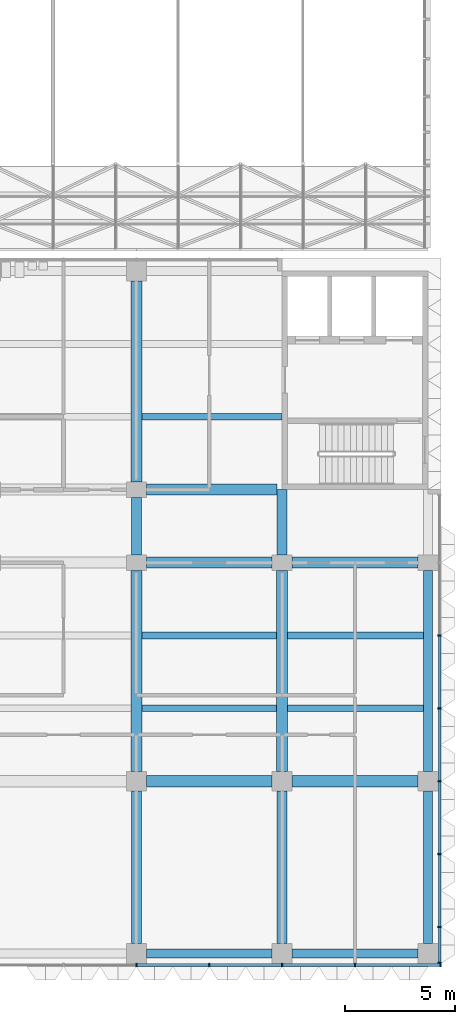
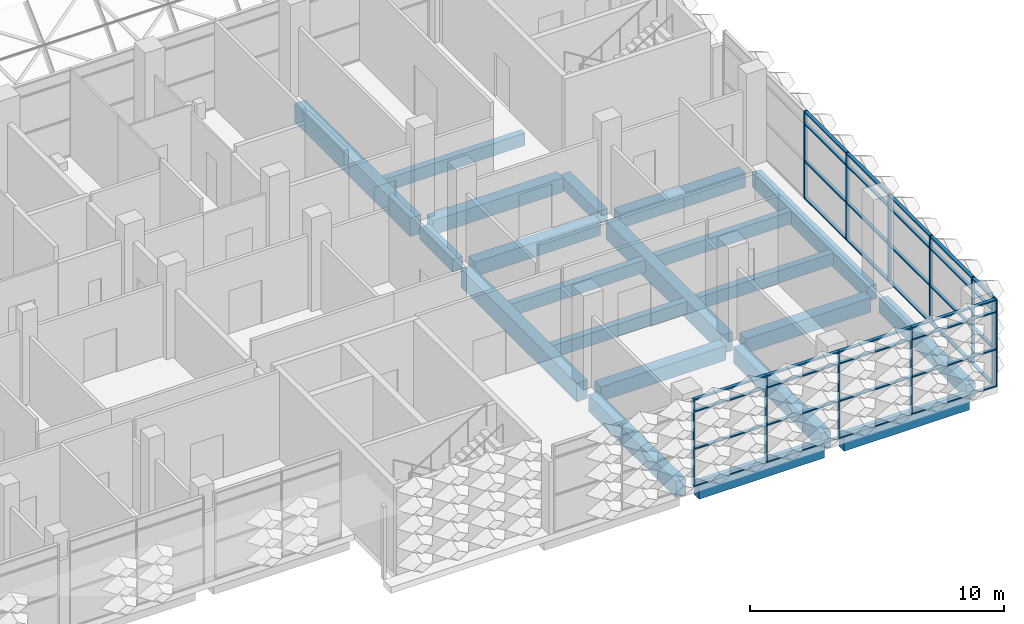
# One storey, part 28 of 109: 47 members, 21 beams, 2 elements without a shape of their own.
"""IFC4 building model written with IfcOpenShell, lengths in metres."""

import ifcopenshell
import ifcopenshell.guid

model = None  # the IFC model being written
_history = None  # IfcOwnerHistory: only IFC2X3 demands one
_inside = {}  # id of a spatial element -> (the spatial element, [elements in it])
_under = {}  # id of a project, library or spatial element -> (it, [spatial elements below it])
_declared = {}  # id of a project -> (the project, [libraries it declares])
_typed = {}  # id of a type object -> (the type object, [elements of that type])
_made_of = {}  # id of a material, layer set ... -> (it, [elements and type objects made of it])


def new_model(schema):
    """Start an empty IFC model of exactly this schema.

    Asked for "IFC4X3", IfcOpenShell would pick the latest addendum, in which some entities
    have other attributes; the version numbers below select the first issue.
    IFC2X3 requires an IfcOwnerHistory on every rooted entity: one is made here for all.
    """
    global model, _history
    if schema == "IFC4X3":
        model = ifcopenshell.file(schema_version=(4, 3, 0, 0))
    else:
        model = ifcopenshell.file(schema=schema)
    _inside.clear()
    _under.clear()
    _declared.clear()
    _typed.clear()
    _made_of.clear()
    _history = None
    if model.schema == "IFC2X3":
        org = make("IfcOrganization", Name="unknown")
        user = make(
            "IfcPersonAndOrganization",
            ThePerson=make("IfcPerson", FamilyName="unknown"),
            TheOrganization=org,
        )
        app = make(
            "IfcApplication",
            ApplicationDeveloper=org,
            Version="unknown",
            ApplicationFullName="unknown",
            ApplicationIdentifier="unknown",
        )
        _history = make(
            "IfcOwnerHistory",
            OwningUser=user,
            OwningApplication=app,
            ChangeAction="ADDED",
            CreationDate=0,
        )
    return model


def make(cls, **values):
    """One entity of the class cls with the attributes given. An attribute that is None is left unset."""
    return model.create_entity(
        cls, **{name: value for name, value in values.items() if value is not None}
    )


def rooted(cls, **values):
    """An entity with a GlobalId (a new one), such as an element, a storey or a relation."""
    return make(cls, GlobalId=ifcopenshell.guid.new(), OwnerHistory=_history, **values)


def si_unit(unit_type, name, prefix=None):
    """IfcSIUnit, for example si_unit("LENGTHUNIT", "METRE", prefix="MILLI")."""
    return make("IfcSIUnit", UnitType=unit_type, Prefix=prefix, Name=name)


def assignment(units):
    """IfcUnitAssignment: the units of a project."""
    return None if units is None else make("IfcUnitAssignment", Units=units)


def point(xyz):
    """IfcCartesianPoint."""
    return None if xyz is None else make("IfcCartesianPoint", Coordinates=xyz)


def direction(xyz):
    """IfcDirection."""
    return None if xyz is None else make("IfcDirection", DirectionRatios=xyz)


def frame(location, z_axis=None, x_axis=None):
    """IfcAxis2Placement3D, a coordinate frame: its origin and axes. An axis left out is left unset."""
    return make(
        "IfcAxis2Placement3D",
        Location=point(location),
        Axis=direction(z_axis),
        RefDirection=direction(x_axis),
    )


def frame_2d(location, x_axis=None):
    """IfcAxis2Placement2D, a coordinate frame in the plane: its origin and x axis."""
    return make(
        "IfcAxis2Placement2D", Location=point(location), RefDirection=direction(x_axis)
    )


def origin():
    """The frame at (0, 0, 0) with its axes left unset."""
    return frame((0.0, 0.0, 0.0))


def origin_2d():
    """The frame at (0, 0) in the plane with its x axis left unset."""
    return frame_2d((0.0, 0.0))


def place(relative_to, where):
    """IfcLocalPlacement: puts the frame where relative to a parent placement (None: the world)."""
    return make(
        "IfcLocalPlacement", PlacementRelTo=relative_to, RelativePlacement=where
    )


def context(
    kind, dimensions, precision=None, world=None, true_north=None, identifier=None
):
    """IfcGeometricRepresentationContext, for example the 3D "Model" context."""
    return make(
        "IfcGeometricRepresentationContext",
        ContextIdentifier=identifier,
        ContextType=kind,
        CoordinateSpaceDimension=dimensions,
        Precision=precision,
        WorldCoordinateSystem=world,
        TrueNorth=true_north,
    )


def subcontext(parent, identifier, kind, view, scale=None):
    """IfcGeometricRepresentationSubContext, for example "Body" below "Model"."""
    return make(
        "IfcGeometricRepresentationSubContext",
        ContextIdentifier=identifier,
        ContextType=kind,
        ParentContext=parent,
        TargetScale=scale,
        TargetView=view,
    )


def project(units=None, contexts=None):
    """IfcProject with its units and contexts."""
    return rooted(
        "IfcProject",
        Name="project",
        RepresentationContexts=contexts,
        UnitsInContext=assignment(units),
    )


def spatial(cls, under=None, at=None, **own):
    """A site, building, storey or space (cls), placed at a placement, below another one or the project."""
    s = rooted(cls, ObjectPlacement=at, **own)
    if under is not None:
        _under.setdefault(under.id(), (under, []))[1].append(s)
    return s


def profile(cls, at=None, kind="AREA", **sizes):
    """A parametric profile (cls). Its sizes go by their IFC names, for example OverallWidth=200.0."""
    return make(cls, ProfileType=kind, Position=at, **sizes)


def rectangle(**sizes):
    """IfcRectangleProfileDef."""
    return profile("IfcRectangleProfileDef", **sizes)


def extrude(swept, where, along, depth):
    """IfcExtrudedAreaSolid: the profile swept, set in the frame where, extruded along a direction by depth."""
    return make(
        "IfcExtrudedAreaSolid",
        SweptArea=swept,
        Position=where,
        ExtrudedDirection=direction(along),
        Depth=depth,
    )


def shape(context_of_items, identifier, shape_type, items):
    """IfcShapeRepresentation: the items that make up one representation, for example the "Body"."""
    return make(
        "IfcShapeRepresentation",
        ContextOfItems=context_of_items,
        RepresentationIdentifier=identifier,
        RepresentationType=shape_type,
        Items=items,
    )


def material(Name=None, Category=None):
    """IfcMaterial."""
    return make("IfcMaterial", Name=Name, Category=Category)


def material_profile(
    of_material, cross_section, Name=None, Category=None, Priority=None
):
    """IfcMaterialProfile: a cross section and its material."""
    return make(
        "IfcMaterialProfile",
        Name=Name,
        Material=of_material,
        Profile=cross_section,
        Priority=Priority,
        Category=Category,
    )


def profile_set(profiles, Name=None, composite=None):
    """IfcMaterialProfileSet."""
    return make(
        "IfcMaterialProfileSet",
        Name=Name,
        MaterialProfiles=profiles,
        CompositeProfile=composite,
    )


def made_of(thing, what):
    """Note that an element or type object is made of a material, layer set ...; save() writes the relation."""
    if what is not None:
        _made_of.setdefault(what.id(), (what, []))[1].append(thing)
    return thing


def type_object(cls, material=None, **own):
    """A type object (cls), such as IfcWallType, which elements share."""
    return made_of(rooted(cls, **own), material)


def element(
    cls,
    number,
    at=None,
    inside=None,
    cuts=None,
    type_object=None,
    material=None,
    context=None,
    identifier="Body",
    shape_type=None,
    held_by="IfcProductDefinitionShape",
    body=None,
    shapes=None,
    **own,
):
    """One element of the class cls, such as IfcWall. Its Tag is "e" and its number.

    at: its placement. inside: the storey or other place that contains it. cuts: it is an
    opening in that element (IfcRelVoidsElement). A single representation is given by context,
    identifier, shape_type and body (its items); several are given by shapes. held_by: the class
    of the entity that holds the representations. save() writes the other relations.
    """
    e = rooted(cls, Tag="e%d" % number, ObjectPlacement=at, **own)
    if body is not None:
        shapes = [shape(context, identifier, shape_type, body)]
    if shapes is not None:
        e.Representation = make(held_by, Representations=shapes)
    if inside is not None:
        _inside.setdefault(inside.id(), (inside, []))[1].append(e)
    if cuts is not None:
        rooted(
            "IfcRelVoidsElement", RelatingBuildingElement=cuts, RelatedOpeningElement=e
        )
    if type_object is not None:
        _typed.setdefault(type_object.id(), (type_object, []))[1].append(e)
    return made_of(e, material)


def aggregate(whole, parts):
    """IfcRelAggregates: a whole, such as a stair, and the parts it consists of."""
    return rooted("IfcRelAggregates", RelatingObject=whole, RelatedObjects=parts)


def save(model, path):
    """Write the relations noted so far, then the file.

    IfcRelAggregates (storeys below a building ...), IfcRelContainedInSpatialStructure (elements
    in a storey), IfcRelDefinesByType, IfcRelAssociatesMaterial and IfcRelDeclares: one each for
    every whole, place, type object, material and project.
    """
    for whole, parts in _under.values():
        aggregate(whole, parts)
    for where, things in _inside.values():
        rooted(
            "IfcRelContainedInSpatialStructure",
            RelatedElements=things,
            RelatingStructure=where,
        )
    for kind, things in _typed.values():
        rooted("IfcRelDefinesByType", RelatedObjects=things, RelatingType=kind)
    for what, things in _made_of.values():
        rooted("IfcRelAssociatesMaterial", RelatedObjects=things, RelatingMaterial=what)
    for by, libraries in _declared.values():
        rooted("IfcRelDeclares", RelatingContext=by, RelatedDefinitions=libraries)
    model.write(path)


model = new_model("IFC4")

# Units and contexts
model_context = context("Model", 3, precision=1e-05, world=origin(), true_north=direction((0.0, 1.0)))
body_context = subcontext(model_context, "Body", "Model", "MODEL_VIEW")
ifc_project = project(units=[si_unit("LENGTHUNIT", "METRE"), si_unit("AREAUNIT", "SQUARE_METRE"), si_unit("VOLUMEUNIT", "CUBIC_METRE"), si_unit("PLANEANGLEUNIT", "RADIAN"), si_unit("MASSUNIT", "GRAM", prefix="KILO")], contexts=[model_context])

# Site, building, storey
site_placement = place(None, origin())
site = spatial("IfcSite", under=ifc_project, at=site_placement, CompositionType="ELEMENT")
building_placement = place(site_placement, origin())
building = spatial("IfcBuilding", under=site, at=building_placement, Name="Lantern Court Research Institute", CompositionType="ELEMENT")
storey_placement = place(building_placement, frame((0.0, 0.0, 14.39990234375)))
storey = spatial("IfcBuildingStorey", under=building, at=storey_placement, Name="L03", CompositionType="ELEMENT", Elevation=14.39990234375)

# Curtain wall, members
ifc_material_1 = material(Name="Aluminium alloy 6063-T6", Category="aluminium")
curtain_wall_type_1 = type_object("IfcCurtainWallType", Name="Curtain wall 21250 x 4200 x 150 aluminium frame", PredefinedType="NOTDEFINED", material=ifc_material_1)
curtain_wall_1_placement = place(storey_placement, origin())
curtain_wall_1 = element("IfcCurtainWall", 1, at=curtain_wall_1_placement, inside=storey, type_object=curtain_wall_type_1, Name="Curtain wall CW057", PredefinedType="NOTDEFINED")
ifc_material_2 = material(Name="Aluminium alloy 6063-T6", Category="aluminium")
ifc_material_profile_1 = material_profile(ifc_material_2, rectangle(XDim=0.14990234375, YDim=0.06005859375, at=origin_2d()), Name="Mullion 150 x 60")
ifc_profile_set_1 = profile_set([ifc_material_profile_1], Name="Aluminium alloy 6063-T6")
member_type_1 = type_object("IfcMemberType", Name="Mullion 150 x 60 aluminium", PredefinedType="MULLION", material=ifc_profile_set_1)
member_1_placement = place(storey_placement, frame((79.72509765625, -8.219970703125, 0.0), z_axis=(0.0, 0.0, 1.0), x_axis=(1.0, 0.0, 0.0)))
member_1 = element("IfcMember", 2, at=member_1_placement, type_object=member_type_1, Name="CW057 mullion 1", PredefinedType="MULLION", context=body_context, shape_type="SweptSolid", body=[
    extrude(rectangle(XDim=0.14990234375, YDim=0.06005859375, at=origin_2d()), origin(), (0.0, 0.0, 1.0), 4.2001953125),
])
member_2_placement = place(storey_placement, frame((79.72509765625, -6.60009765625, 0.0), z_axis=(0.0, 0.0, 1.0), x_axis=(1.0, 0.0, 0.0)))
member_2 = element("IfcMember", 3, at=member_2_placement, type_object=member_type_1, Name="CW057 mullion 2", PredefinedType="MULLION", context=body_context, shape_type="SweptSolid", body=[
    extrude(rectangle(XDim=0.14990234375, YDim=0.06005859375, at=origin_2d()), origin(), (0.0, 0.0, 1.0), 4.2001953125),
])
member_3_placement = place(storey_placement, frame((79.72509765625, -3.300048828125, 0.0), z_axis=(0.0, 0.0, 1.0), x_axis=(1.0, 0.0, 0.0)))
member_3 = element("IfcMember", 4, at=member_3_placement, type_object=member_type_1, Name="CW057 mullion 3", PredefinedType="MULLION", context=body_context, shape_type="SweptSolid", body=[
    extrude(rectangle(XDim=0.14990234375, YDim=0.06005859375, at=origin_2d()), origin(), (0.0, 0.0, 1.0), 4.2001953125),
])
member_4_placement = place(storey_placement, frame((79.72509765625, 0.0, 0.0), z_axis=(0.0, 0.0, 1.0), x_axis=(1.0, 0.0, 0.0)))
member_4 = element("IfcMember", 5, at=member_4_placement, type_object=member_type_1, Name="CW057 mullion 4", PredefinedType="MULLION", context=body_context, shape_type="SweptSolid", body=[
    extrude(rectangle(XDim=0.14990234375, YDim=0.06005859375, at=origin_2d()), origin(), (0.0, 0.0, 1.0), 4.2001953125),
])
member_5_placement = place(storey_placement, frame((79.72509765625, 3.300048828125, 0.0), z_axis=(0.0, 0.0, 1.0), x_axis=(1.0, 0.0, 0.0)))
member_5 = element("IfcMember", 6, at=member_5_placement, type_object=member_type_1, Name="CW057 mullion 5", PredefinedType="MULLION", context=body_context, shape_type="SweptSolid", body=[
    extrude(rectangle(XDim=0.14990234375, YDim=0.06005859375, at=origin_2d()), origin(), (0.0, 0.0, 1.0), 4.2001953125),
])
member_6_placement = place(storey_placement, frame((79.72509765625, 6.60009765625, 0.0), z_axis=(0.0, 0.0, 1.0), x_axis=(1.0, 0.0, 0.0)))
member_6 = element("IfcMember", 7, at=member_6_placement, type_object=member_type_1, Name="CW057 mullion 6", PredefinedType="MULLION", context=body_context, shape_type="SweptSolid", body=[
    extrude(rectangle(XDim=0.14990234375, YDim=0.06005859375, at=origin_2d()), origin(), (0.0, 0.0, 1.0), 4.2001953125),
])

ifc_material_3 = material(Name="Aluminium alloy 6063-T6", Category="aluminium")
curtain_wall_type_2 = type_object("IfcCurtainWallType", Name="Curtain wall 20200 x 4200 x 150 aluminium frame", PredefinedType="NOTDEFINED", material=ifc_material_3)
curtain_wall_2_placement = place(storey_placement, origin())
curtain_wall_2 = element("IfcCurtainWall", 8, at=curtain_wall_2_placement, inside=storey, type_object=curtain_wall_type_2, Name="Curtain wall CW059", PredefinedType="NOTDEFINED")
member_7_placement = place(storey_placement, frame((66.0, -8.324951171875, 0.0), z_axis=(0.0, 0.0, 1.0), x_axis=(0.0, -1.0, 0.0)))
member_7 = element("IfcMember", 9, at=member_7_placement, type_object=member_type_1, Name="CW059 mullion 3", PredefinedType="MULLION", context=body_context, shape_type="SweptSolid", body=[
    extrude(rectangle(XDim=0.14990234375, YDim=0.06005859375, at=origin_2d()), origin(), (0.0, 0.0, 1.0), 4.2001953125),
])
member_8_placement = place(storey_placement, frame((69.300048828125, -8.324951171875, 0.0), z_axis=(0.0, 0.0, 1.0), x_axis=(0.0, -1.0, 0.0)))
member_8 = element("IfcMember", 10, at=member_8_placement, type_object=member_type_1, Name="CW059 mullion 4", PredefinedType="MULLION", context=body_context, shape_type="SweptSolid", body=[
    extrude(rectangle(XDim=0.14990234375, YDim=0.06005859375, at=origin_2d()), origin(), (0.0, 0.0, 1.0), 4.2001953125),
])
member_9_placement = place(storey_placement, frame((72.60009765625, -8.324951171875, 0.0), z_axis=(0.0, 0.0, 1.0), x_axis=(0.0, -1.0, 0.0)))
member_9 = element("IfcMember", 11, at=member_9_placement, type_object=member_type_1, Name="CW059 mullion 5", PredefinedType="MULLION", context=body_context, shape_type="SweptSolid", body=[
    extrude(rectangle(XDim=0.14990234375, YDim=0.06005859375, at=origin_2d()), origin(), (0.0, 0.0, 1.0), 4.2001953125),
])
member_10_placement = place(storey_placement, frame((75.89990234375, -8.324951171875, 0.0), z_axis=(0.0, 0.0, 1.0), x_axis=(0.0, -1.0, 0.0)))
member_10 = element("IfcMember", 12, at=member_10_placement, type_object=member_type_1, Name="CW059 mullion 6", PredefinedType="MULLION", context=body_context, shape_type="SweptSolid", body=[
    extrude(rectangle(XDim=0.14990234375, YDim=0.06005859375, at=origin_2d()), origin(), (0.0, 0.0, 1.0), 4.2001953125),
])
member_11_placement = place(storey_placement, frame((79.77001953125, -8.324951171875, 0.0), z_axis=(0.0, 0.0, 1.0), x_axis=(0.0, -1.0, 0.0)))
member_11 = element("IfcMember", 13, at=member_11_placement, type_object=member_type_1, Name="CW059 mullion 7", PredefinedType="MULLION", context=body_context, shape_type="SweptSolid", body=[
    extrude(rectangle(XDim=0.14990234375, YDim=0.06005859375, at=origin_2d()), origin(), (0.0, 0.0, 1.0), 4.2001953125),
])

# Beams
ifc_material_4 = material(Name="Concrete C40/50", Category="concrete")
ifc_material_profile_2 = material_profile(ifc_material_4, rectangle(XDim=0.5, YDim=0.699951171875, at=origin_2d()), Name="RC beam 500 x 700")
ifc_profile_set_2 = profile_set([ifc_material_profile_2], Name="Concrete C40/50")
beam_type_1 = type_object("IfcBeamType", Name="RC beam 500 x 700", PredefinedType="BEAM", material=ifc_profile_set_2)
for number, where, z_axis, x_axis, name in (
    (14, (66.449951171875, 0.0, -0.64990234375), (1.0, 0.0, 0.0), (0.0, 1.0, 0.0), "Beam L03 grid A/11-12"),
    (15, (73.050048828125, 0.0, -0.64990234375), (1.0, 0.0, 0.0), (0.0, 1.0, 0.0), "Beam L03 grid A/12-13"),
    (16, (66.449951171875, 9.89990234375, -0.64990234375), (1.0, 0.0, 0.0), (0.0, 1.0, 0.0), "Beam L03 grid B/11-12"),
    (17, (73.050048828125, 9.89990234375, -0.64990234375), (1.0, 0.0, 0.0), (0.0, 1.0, 0.0), "Beam L03 grid B/12-13"),
):
    element("IfcBeam", number, at=place(storey_placement, frame(where, z_axis=z_axis, x_axis=x_axis)), inside=storey, type_object=beam_type_1, Name=name, PredefinedType="BEAM", context=body_context, shape_type="SweptSolid", body=[
        extrude(rectangle(XDim=0.5, YDim=0.699951171875, at=origin_2d()), origin(), (0.0, 0.0, 1.0), 5.699951171875),
    ])
beam_1_placement = place(storey_placement, frame((66.449951171875, 13.199951171875, -0.64990234375), z_axis=(1.0, 0.0, 0.0), x_axis=(0.0, 1.0, 0.0)))
element("IfcBeam", 18, at=beam_1_placement, inside=storey, type_object=beam_type_1, Name="Beam L03 grid C/11-12", PredefinedType="BEAM", context=body_context, shape_type="SweptSolid", body=[
    extrude(rectangle(XDim=0.5, YDim=0.699951171875, at=origin_2d()), origin(), (0.0, 0.0, 1.0), 5.925048828125),
])
ifc_material_5 = material(Name="Concrete C40/50", Category="concrete")
ifc_material_profile_3 = material_profile(ifc_material_5, rectangle(XDim=0.39990234375, YDim=0.699951171875, at=origin_2d()), Name="RC beam 400 x 700")
ifc_profile_set_3 = profile_set([ifc_material_profile_3], Name="Concrete C40/50")
beam_type_2 = type_object("IfcBeamType", Name="RC edge beam 400 x 700", PredefinedType="BEAM", material=ifc_profile_set_3)
beam_2_placement = place(storey_placement, frame((79.199951171875, -7.35009765625, -0.64990234375), z_axis=(0.0, 1.0, 0.0), x_axis=(-1.0, 0.0, 0.0)))
element("IfcBeam", 19, at=beam_2_placement, inside=storey, type_object=beam_type_2, Name="Edge beam L03 grid 13/Z-A", PredefinedType="BEAM", context=body_context, shape_type="SweptSolid", body=[
    extrude(rectangle(XDim=0.39990234375, YDim=0.699951171875, at=origin_2d()), origin(), (0.0, 0.0, 1.0), 6.900146484375),
])
beam_3_placement = place(storey_placement, frame((79.199951171875, 0.449951171875, -0.64990234375), z_axis=(0.0, 1.0, 0.0), x_axis=(-1.0, 0.0, 0.0)))
element("IfcBeam", 20, at=beam_3_placement, inside=storey, type_object=beam_type_2, Name="Edge beam L03 grid 13/A-B", PredefinedType="BEAM", context=body_context, shape_type="SweptSolid", body=[
    extrude(rectangle(XDim=0.39990234375, YDim=0.699951171875, at=origin_2d()), origin(), (0.0, 0.0, 1.0), 9.10009765625),
])
for number, where, z_axis, x_axis, name in (
    (21, (66.449951171875, -7.800048828125, -0.64990234375), (1.0, 0.0, 0.0), (0.0, 1.0, 0.0), "Edge beam L03 grid Z/11-12"),
    (22, (73.050048828125, -7.800048828125, -0.64990234375), (1.0, 0.0, 0.0), (0.0, 1.0, 0.0), "Edge beam L03 grid Z/12-13"),
):
    element("IfcBeam", number, at=place(storey_placement, frame(where, z_axis=z_axis, x_axis=x_axis)), inside=storey, type_object=beam_type_2, Name=name, PredefinedType="BEAM", context=body_context, shape_type="SweptSolid", body=[
        extrude(rectangle(XDim=0.39990234375, YDim=0.699951171875, at=origin_2d()), origin(), (0.0, 0.0, 1.0), 5.699951171875),
    ])
ifc_material_6 = material(Name="Concrete C40/50", Category="concrete")
ifc_material_profile_4 = material_profile(ifc_material_6, rectangle(XDim=0.449951171875, YDim=0.800048828125, at=origin_2d()), Name="RC beam 450 x 800")
ifc_profile_set_4 = profile_set([ifc_material_profile_4], Name="Concrete C40/50")
beam_type_3 = type_object("IfcBeamType", Name="RC girder 450 x 800", PredefinedType="BEAM", material=ifc_profile_set_4)
for number, where, z_axis, x_axis, name in (
    (23, (66.0, -7.35009765625, -0.699951171875), (0.0, 1.0, 0.0), (-1.0, 0.0, 0.0), "Girder L03 grid 11/Z-A"),
    (24, (72.60009765625, -7.35009765625, -0.699951171875), (0.0, 1.0, 0.0), (-1.0, 0.0, 0.0), "Girder L03 grid 12/Z-A"),
):
    element("IfcBeam", number, at=place(storey_placement, frame(where, z_axis=z_axis, x_axis=x_axis)), inside=storey, type_object=beam_type_3, Name=name, PredefinedType="BEAM", context=body_context, shape_type="SweptSolid", body=[
        extrude(rectangle(XDim=0.449951171875, YDim=0.800048828125, at=origin_2d()), origin(), (0.0, 0.0, 1.0), 6.900146484375),
    ])
ifc_material_7 = material(Name="Concrete C40/50", Category="concrete")
ifc_material_profile_5 = material_profile(ifc_material_7, rectangle(XDim=0.5, YDim=0.89990234375, at=origin_2d()), Name="RC beam 500 x 900")
ifc_profile_set_5 = profile_set([ifc_material_profile_5], Name="Concrete C40/50")
beam_type_4 = type_object("IfcBeamType", Name="RC girder 500 x 900", PredefinedType="BEAM", material=ifc_profile_set_5)
beam_4_placement = place(storey_placement, frame((66.0, 0.449951171875, -0.75), z_axis=(0.0, 1.0, 0.0), x_axis=(-1.0, 0.0, 0.0)))
element("IfcBeam", 25, at=beam_4_placement, inside=storey, type_object=beam_type_4, Name="Girder L03 grid 11/A-B", PredefinedType="BEAM", context=body_context, shape_type="SweptSolid", body=[
    extrude(rectangle(XDim=0.5, YDim=0.89990234375, at=origin_2d()), origin(), (0.0, 0.0, 1.0), 9.10009765625),
])
beam_5_placement = place(storey_placement, frame((66.0, 13.550048828125, -0.75), z_axis=(0.0, 1.0, 0.0), x_axis=(-1.0, 0.0, 0.0)))
element("IfcBeam", 26, at=beam_5_placement, inside=storey, type_object=beam_type_4, Name="Girder L03 grid 11/C-D", PredefinedType="BEAM", context=body_context, shape_type="SweptSolid", body=[
    extrude(rectangle(XDim=0.5, YDim=0.89990234375, at=origin_2d()), origin(), (0.0, 0.0, 1.0), 9.099853515625),
])
beam_6_placement = place(storey_placement, frame((72.60009765625, 0.449951171875, -0.75), z_axis=(0.0, 1.0, 0.0), x_axis=(-1.0, 0.0, 0.0)))
element("IfcBeam", 27, at=beam_6_placement, inside=storey, type_object=beam_type_4, Name="Girder L03 grid 12/A-B", PredefinedType="BEAM", context=body_context, shape_type="SweptSolid", body=[
    extrude(rectangle(XDim=0.5, YDim=0.89990234375, at=origin_2d()), origin(), (0.0, 0.0, 1.0), 9.10009765625),
])
ifc_material_8 = material(Name="Concrete C40/50", Category="concrete")
ifc_material_profile_6 = material_profile(ifc_material_8, rectangle(XDim=0.300048828125, YDim=0.60009765625, at=origin_2d()), Name="RC beam 300 x 600")
ifc_profile_set_6 = profile_set([ifc_material_profile_6], Name="Concrete C40/50")
beam_type_5 = type_object("IfcBeamType", Name="RC secondary beam 300 x 600", PredefinedType="BEAM", material=ifc_profile_set_6)
beam_7_placement = place(storey_placement, frame((66.25, 3.300048828125, -0.599853515625), z_axis=(1.0, 0.0, 0.0), x_axis=(0.0, 1.0, 0.0)))
element("IfcBeam", 28, at=beam_7_placement, inside=storey, type_object=beam_type_5, Name="Secondary beam L03 grids 11-12 / A-B, line 1", PredefinedType="BEAM", context=body_context, shape_type="SweptSolid", body=[
    extrude(rectangle(XDim=0.300048828125, YDim=0.60009765625, at=origin_2d()), origin(), (0.0, 0.0, 1.0), 6.10009765625),
])
beam_8_placement = place(storey_placement, frame((72.85009765625, 3.300048828125, -0.599853515625), z_axis=(1.0, 0.0, 0.0), x_axis=(0.0, 1.0, 0.0)))
element("IfcBeam", 29, at=beam_8_placement, inside=storey, type_object=beam_type_5, Name="Secondary beam L03 grids 12-13 / A-B, line 1", PredefinedType="BEAM", context=body_context, shape_type="SweptSolid", body=[
    extrude(rectangle(XDim=0.300048828125, YDim=0.60009765625, at=origin_2d()), origin(), (0.0, 0.0, 1.0), 6.14990234375),
])
beam_9_placement = place(storey_placement, frame((66.25, 6.60009765625, -0.599853515625), z_axis=(1.0, 0.0, 0.0), x_axis=(0.0, 1.0, 0.0)))
element("IfcBeam", 30, at=beam_9_placement, inside=storey, type_object=beam_type_5, Name="Secondary beam L03 grids 11-12 / A-B, line 2", PredefinedType="BEAM", context=body_context, shape_type="SweptSolid", body=[
    extrude(rectangle(XDim=0.300048828125, YDim=0.60009765625, at=origin_2d()), origin(), (0.0, 0.0, 1.0), 6.10009765625),
])
beam_10_placement = place(storey_placement, frame((72.85009765625, 6.60009765625, -0.599853515625), z_axis=(1.0, 0.0, 0.0), x_axis=(0.0, 1.0, 0.0)))
element("IfcBeam", 31, at=beam_10_placement, inside=storey, type_object=beam_type_5, Name="Secondary beam L03 grids 12-13 / A-B, line 2", PredefinedType="BEAM", context=body_context, shape_type="SweptSolid", body=[
    extrude(rectangle(XDim=0.300048828125, YDim=0.60009765625, at=origin_2d()), origin(), (0.0, 0.0, 1.0), 6.14990234375),
])
beam_11_placement = place(storey_placement, frame((66.25, 16.5, -0.599853515625), z_axis=(1.0, 0.0, 0.0), x_axis=(0.0, 1.0, 0.0)))
element("IfcBeam", 32, at=beam_11_placement, inside=storey, type_object=beam_type_5, Name="Secondary beam L03 grids 11-12 / C-D, line 1", PredefinedType="BEAM", context=body_context, shape_type="SweptSolid", body=[
    extrude(rectangle(XDim=0.300048828125, YDim=0.60009765625, at=origin_2d()), origin(), (0.0, 0.0, 1.0), 6.35009765625),
])
ifc_material_9 = material(Name="Concrete C40/50", Category="concrete")
ifc_material_profile_7 = material_profile(ifc_material_9, rectangle(XDim=0.449951171875, YDim=0.60009765625, at=origin_2d()), Name="RC beam 450 x 600")
ifc_profile_set_7 = profile_set([ifc_material_profile_7], Name="Concrete C40/50")
beam_type_6 = type_object("IfcBeamType", Name="RC spine beam 450 x 600", PredefinedType="BEAM", material=ifc_profile_set_7)
beam_12_placement = place(storey_placement, frame((66.0, 10.25, -0.599853515625), z_axis=(0.0, 1.0, 0.0), x_axis=(-1.0, 0.0, 0.0)))
element("IfcBeam", 33, at=beam_12_placement, inside=storey, type_object=beam_type_6, Name="Beam L03 grid 11/B-C", PredefinedType="BEAM", context=body_context, shape_type="SweptSolid", body=[
    extrude(rectangle(XDim=0.449951171875, YDim=0.60009765625, at=origin_2d()), origin(), (0.0, 0.0, 1.0), 2.60009765625),
])
beam_13_placement = place(storey_placement, frame((72.60009765625, 10.25, -0.599853515625), z_axis=(0.0, 1.0, 0.0), x_axis=(-1.0, 0.0, 0.0)))
element("IfcBeam", 34, at=beam_13_placement, inside=storey, type_object=beam_type_6, Name="Beam L03 grid 12/B-C", PredefinedType="BEAM", context=body_context, shape_type="SweptSolid", body=[
    extrude(rectangle(XDim=0.449951171875, YDim=0.60009765625, at=origin_2d()), origin(), (0.0, 0.0, 1.0), 2.949951171875),
])

# Member
ifc_material_10 = material(Name="Aluminium alloy 6063-T6", Category="aluminium")
ifc_material_profile_8 = material_profile(ifc_material_10, rectangle(XDim=0.14990234375, YDim=0.06005859375, at=origin_2d()), Name="Transom 150 x 60")
ifc_profile_set_8 = profile_set([ifc_material_profile_8], Name="Aluminium alloy 6063-T6")
member_type_2 = type_object("IfcMemberType", Name="Transom 150 x 60 aluminium", PredefinedType="USERDEFINED", material=ifc_profile_set_8)
member_12_placement = place(storey_placement, frame((79.72509765625, -6.6298828125, 0.030029296875), z_axis=(0.0, -1.0, 0.0), x_axis=(1.0, 0.0, 0.0)))
member_12 = element("IfcMember", 35, at=member_12_placement, type_object=member_type_2, Name="CW057 transom 1.1", ObjectType="TRANSOM", PredefinedType="USERDEFINED", context=body_context, shape_type="SweptSolid", body=[
    extrude(rectangle(XDim=0.14990234375, YDim=0.06005859375, at=origin_2d()), origin(), (0.0, 0.0, 1.0), 1.56005859375),
])

member_13_placement = place(storey_placement, frame((79.72509765625, -6.6298828125, 1.800048828125), z_axis=(0.0, -1.0, 0.0), x_axis=(1.0, 0.0, 0.0)))
member_13 = element("IfcMember", 36, at=member_13_placement, type_object=member_type_2, Name="CW057 transom 1.2", ObjectType="TRANSOM", PredefinedType="USERDEFINED", context=body_context, shape_type="SweptSolid", body=[
    extrude(rectangle(XDim=0.14990234375, YDim=0.06005859375, at=origin_2d()), origin(), (0.0, 0.0, 1.0), 1.56005859375),
])

member_14_placement = place(storey_placement, frame((79.72509765625, -6.6298828125, 3.60009765625), z_axis=(0.0, -1.0, 0.0), x_axis=(1.0, 0.0, 0.0)))
member_14 = element("IfcMember", 37, at=member_14_placement, type_object=member_type_2, Name="CW057 transom 1.3", ObjectType="TRANSOM", PredefinedType="USERDEFINED", context=body_context, shape_type="SweptSolid", body=[
    extrude(rectangle(XDim=0.14990234375, YDim=0.06005859375, at=origin_2d()), origin(), (0.0, 0.0, 1.0), 1.56005859375),
])

member_15_placement = place(storey_placement, frame((79.72509765625, -6.6298828125, 4.170166015625), z_axis=(0.0, -1.0, 0.0), x_axis=(1.0, 0.0, 0.0)))
member_15 = element("IfcMember", 38, at=member_15_placement, type_object=member_type_2, Name="CW057 transom 1.4", ObjectType="TRANSOM", PredefinedType="USERDEFINED", context=body_context, shape_type="SweptSolid", body=[
    extrude(rectangle(XDim=0.14990234375, YDim=0.06005859375, at=origin_2d()), origin(), (0.0, 0.0, 1.0), 1.56005859375),
])

member_16_placement = place(storey_placement, frame((79.72509765625, -3.330078125, 0.030029296875), z_axis=(0.0, -1.0, 0.0), x_axis=(1.0, 0.0, 0.0)))
member_16 = element("IfcMember", 39, at=member_16_placement, type_object=member_type_2, Name="CW057 transom 2.1", ObjectType="TRANSOM", PredefinedType="USERDEFINED", context=body_context, shape_type="SweptSolid", body=[
    extrude(rectangle(XDim=0.14990234375, YDim=0.06005859375, at=origin_2d()), origin(), (0.0, 0.0, 1.0), 3.239990234375),
])

member_17_placement = place(storey_placement, frame((79.72509765625, -3.330078125, 1.800048828125), z_axis=(0.0, -1.0, 0.0), x_axis=(1.0, 0.0, 0.0)))
member_17 = element("IfcMember", 40, at=member_17_placement, type_object=member_type_2, Name="CW057 transom 2.2", ObjectType="TRANSOM", PredefinedType="USERDEFINED", context=body_context, shape_type="SweptSolid", body=[
    extrude(rectangle(XDim=0.14990234375, YDim=0.06005859375, at=origin_2d()), origin(), (0.0, 0.0, 1.0), 3.239990234375),
])

member_18_placement = place(storey_placement, frame((79.72509765625, -3.330078125, 3.60009765625), z_axis=(0.0, -1.0, 0.0), x_axis=(1.0, 0.0, 0.0)))
member_18 = element("IfcMember", 41, at=member_18_placement, type_object=member_type_2, Name="CW057 transom 2.3", ObjectType="TRANSOM", PredefinedType="USERDEFINED", context=body_context, shape_type="SweptSolid", body=[
    extrude(rectangle(XDim=0.14990234375, YDim=0.06005859375, at=origin_2d()), origin(), (0.0, 0.0, 1.0), 3.239990234375),
])

member_19_placement = place(storey_placement, frame((79.72509765625, -3.330078125, 4.170166015625), z_axis=(0.0, -1.0, 0.0), x_axis=(1.0, 0.0, 0.0)))
member_19 = element("IfcMember", 42, at=member_19_placement, type_object=member_type_2, Name="CW057 transom 2.4", ObjectType="TRANSOM", PredefinedType="USERDEFINED", context=body_context, shape_type="SweptSolid", body=[
    extrude(rectangle(XDim=0.14990234375, YDim=0.06005859375, at=origin_2d()), origin(), (0.0, 0.0, 1.0), 3.239990234375),
])

member_20_placement = place(storey_placement, frame((79.72509765625, -0.030029296875, 0.030029296875), z_axis=(0.0, -1.0, 0.0), x_axis=(1.0, 0.0, 0.0)))
member_20 = element("IfcMember", 43, at=member_20_placement, type_object=member_type_2, Name="CW057 transom 3.1", ObjectType="TRANSOM", PredefinedType="USERDEFINED", context=body_context, shape_type="SweptSolid", body=[
    extrude(rectangle(XDim=0.14990234375, YDim=0.06005859375, at=origin_2d()), origin(), (0.0, 0.0, 1.0), 3.239990234375),
])

member_21_placement = place(storey_placement, frame((79.72509765625, -0.030029296875, 1.800048828125), z_axis=(0.0, -1.0, 0.0), x_axis=(1.0, 0.0, 0.0)))
member_21 = element("IfcMember", 44, at=member_21_placement, type_object=member_type_2, Name="CW057 transom 3.2", ObjectType="TRANSOM", PredefinedType="USERDEFINED", context=body_context, shape_type="SweptSolid", body=[
    extrude(rectangle(XDim=0.14990234375, YDim=0.06005859375, at=origin_2d()), origin(), (0.0, 0.0, 1.0), 3.239990234375),
])

member_22_placement = place(storey_placement, frame((79.72509765625, -0.030029296875, 3.60009765625), z_axis=(0.0, -1.0, 0.0), x_axis=(1.0, 0.0, 0.0)))
member_22 = element("IfcMember", 45, at=member_22_placement, type_object=member_type_2, Name="CW057 transom 3.3", ObjectType="TRANSOM", PredefinedType="USERDEFINED", context=body_context, shape_type="SweptSolid", body=[
    extrude(rectangle(XDim=0.14990234375, YDim=0.06005859375, at=origin_2d()), origin(), (0.0, 0.0, 1.0), 3.239990234375),
])

member_23_placement = place(storey_placement, frame((79.72509765625, -0.030029296875, 4.170166015625), z_axis=(0.0, -1.0, 0.0), x_axis=(1.0, 0.0, 0.0)))
member_23 = element("IfcMember", 46, at=member_23_placement, type_object=member_type_2, Name="CW057 transom 3.4", ObjectType="TRANSOM", PredefinedType="USERDEFINED", context=body_context, shape_type="SweptSolid", body=[
    extrude(rectangle(XDim=0.14990234375, YDim=0.06005859375, at=origin_2d()), origin(), (0.0, 0.0, 1.0), 3.239990234375),
])

member_24_placement = place(storey_placement, frame((79.72509765625, 3.27001953125, 0.030029296875), z_axis=(0.0, -1.0, 0.0), x_axis=(1.0, 0.0, 0.0)))
member_24 = element("IfcMember", 47, at=member_24_placement, type_object=member_type_2, Name="CW057 transom 4.1", ObjectType="TRANSOM", PredefinedType="USERDEFINED", context=body_context, shape_type="SweptSolid", body=[
    extrude(rectangle(XDim=0.14990234375, YDim=0.06005859375, at=origin_2d()), origin(), (0.0, 0.0, 1.0), 3.239990234375),
])

member_25_placement = place(storey_placement, frame((79.72509765625, 3.27001953125, 1.800048828125), z_axis=(0.0, -1.0, 0.0), x_axis=(1.0, 0.0, 0.0)))
member_25 = element("IfcMember", 48, at=member_25_placement, type_object=member_type_2, Name="CW057 transom 4.2", ObjectType="TRANSOM", PredefinedType="USERDEFINED", context=body_context, shape_type="SweptSolid", body=[
    extrude(rectangle(XDim=0.14990234375, YDim=0.06005859375, at=origin_2d()), origin(), (0.0, 0.0, 1.0), 3.239990234375),
])

member_26_placement = place(storey_placement, frame((79.72509765625, 3.27001953125, 3.60009765625), z_axis=(0.0, -1.0, 0.0), x_axis=(1.0, 0.0, 0.0)))
member_26 = element("IfcMember", 49, at=member_26_placement, type_object=member_type_2, Name="CW057 transom 4.3", ObjectType="TRANSOM", PredefinedType="USERDEFINED", context=body_context, shape_type="SweptSolid", body=[
    extrude(rectangle(XDim=0.14990234375, YDim=0.06005859375, at=origin_2d()), origin(), (0.0, 0.0, 1.0), 3.239990234375),
])

member_27_placement = place(storey_placement, frame((79.72509765625, 3.27001953125, 4.170166015625), z_axis=(0.0, -1.0, 0.0), x_axis=(1.0, 0.0, 0.0)))
member_27 = element("IfcMember", 50, at=member_27_placement, type_object=member_type_2, Name="CW057 transom 4.4", ObjectType="TRANSOM", PredefinedType="USERDEFINED", context=body_context, shape_type="SweptSolid", body=[
    extrude(rectangle(XDim=0.14990234375, YDim=0.06005859375, at=origin_2d()), origin(), (0.0, 0.0, 1.0), 3.239990234375),
])

member_28_placement = place(storey_placement, frame((79.72509765625, 6.570068359375, 0.030029296875), z_axis=(0.0, -1.0, 0.0), x_axis=(1.0, 0.0, 0.0)))
member_28 = element("IfcMember", 51, at=member_28_placement, type_object=member_type_2, Name="CW057 transom 5.1", ObjectType="TRANSOM", PredefinedType="USERDEFINED", context=body_context, shape_type="SweptSolid", body=[
    extrude(rectangle(XDim=0.14990234375, YDim=0.06005859375, at=origin_2d()), origin(), (0.0, 0.0, 1.0), 3.239990234375),
])

member_29_placement = place(storey_placement, frame((79.72509765625, 6.570068359375, 1.800048828125), z_axis=(0.0, -1.0, 0.0), x_axis=(1.0, 0.0, 0.0)))
member_29 = element("IfcMember", 52, at=member_29_placement, type_object=member_type_2, Name="CW057 transom 5.2", ObjectType="TRANSOM", PredefinedType="USERDEFINED", context=body_context, shape_type="SweptSolid", body=[
    extrude(rectangle(XDim=0.14990234375, YDim=0.06005859375, at=origin_2d()), origin(), (0.0, 0.0, 1.0), 3.239990234375),
])

member_30_placement = place(storey_placement, frame((79.72509765625, 6.570068359375, 3.60009765625), z_axis=(0.0, -1.0, 0.0), x_axis=(1.0, 0.0, 0.0)))
member_30 = element("IfcMember", 53, at=member_30_placement, type_object=member_type_2, Name="CW057 transom 5.3", ObjectType="TRANSOM", PredefinedType="USERDEFINED", context=body_context, shape_type="SweptSolid", body=[
    extrude(rectangle(XDim=0.14990234375, YDim=0.06005859375, at=origin_2d()), origin(), (0.0, 0.0, 1.0), 3.239990234375),
])

member_31_placement = place(storey_placement, frame((79.72509765625, 6.570068359375, 4.170166015625), z_axis=(0.0, -1.0, 0.0), x_axis=(1.0, 0.0, 0.0)))
member_31 = element("IfcMember", 54, at=member_31_placement, type_object=member_type_2, Name="CW057 transom 5.4", ObjectType="TRANSOM", PredefinedType="USERDEFINED", context=body_context, shape_type="SweptSolid", body=[
    extrude(rectangle(XDim=0.14990234375, YDim=0.06005859375, at=origin_2d()), origin(), (0.0, 0.0, 1.0), 3.239990234375),
])

aggregate(curtain_wall_1, [member_1, member_2, member_3, member_4, member_5, member_6, member_12, member_13, member_14, member_15, member_16, member_17, member_18, member_19, member_20, member_21, member_22, member_23, member_24, member_25, member_26, member_27, member_28, member_29, member_30, member_31])

member_32_placement = place(storey_placement, frame((69.27001953125, -8.324951171875, 0.030029296875), z_axis=(-1.0, 0.0, 0.0), x_axis=(0.0, -1.0, 0.0)))
member_32 = element("IfcMember", 55, at=member_32_placement, type_object=member_type_2, Name="CW059 transom 3.1", ObjectType="TRANSOM", PredefinedType="USERDEFINED", context=body_context, shape_type="SweptSolid", body=[
    extrude(rectangle(XDim=0.14990234375, YDim=0.06005859375, at=origin_2d()), origin(), (0.0, 0.0, 1.0), 3.239990234375),
])

member_33_placement = place(storey_placement, frame((69.27001953125, -8.324951171875, 1.800048828125), z_axis=(-1.0, 0.0, 0.0), x_axis=(0.0, -1.0, 0.0)))
member_33 = element("IfcMember", 56, at=member_33_placement, type_object=member_type_2, Name="CW059 transom 3.2", ObjectType="TRANSOM", PredefinedType="USERDEFINED", context=body_context, shape_type="SweptSolid", body=[
    extrude(rectangle(XDim=0.14990234375, YDim=0.06005859375, at=origin_2d()), origin(), (0.0, 0.0, 1.0), 3.239990234375),
])

member_34_placement = place(storey_placement, frame((69.27001953125, -8.324951171875, 3.60009765625), z_axis=(-1.0, 0.0, 0.0), x_axis=(0.0, -1.0, 0.0)))
member_34 = element("IfcMember", 57, at=member_34_placement, type_object=member_type_2, Name="CW059 transom 3.3", ObjectType="TRANSOM", PredefinedType="USERDEFINED", context=body_context, shape_type="SweptSolid", body=[
    extrude(rectangle(XDim=0.14990234375, YDim=0.06005859375, at=origin_2d()), origin(), (0.0, 0.0, 1.0), 3.239990234375),
])

member_35_placement = place(storey_placement, frame((69.27001953125, -8.324951171875, 4.170166015625), z_axis=(-1.0, 0.0, 0.0), x_axis=(0.0, -1.0, 0.0)))
member_35 = element("IfcMember", 58, at=member_35_placement, type_object=member_type_2, Name="CW059 transom 3.4", ObjectType="TRANSOM", PredefinedType="USERDEFINED", context=body_context, shape_type="SweptSolid", body=[
    extrude(rectangle(XDim=0.14990234375, YDim=0.06005859375, at=origin_2d()), origin(), (0.0, 0.0, 1.0), 3.239990234375),
])

member_36_placement = place(storey_placement, frame((72.570068359375, -8.324951171875, 0.030029296875), z_axis=(-1.0, 0.0, 0.0), x_axis=(0.0, -1.0, 0.0)))
member_36 = element("IfcMember", 59, at=member_36_placement, type_object=member_type_2, Name="CW059 transom 4.1", ObjectType="TRANSOM", PredefinedType="USERDEFINED", context=body_context, shape_type="SweptSolid", body=[
    extrude(rectangle(XDim=0.14990234375, YDim=0.06005859375, at=origin_2d()), origin(), (0.0, 0.0, 1.0), 3.239990234375),
])

member_37_placement = place(storey_placement, frame((72.570068359375, -8.324951171875, 1.800048828125), z_axis=(-1.0, 0.0, 0.0), x_axis=(0.0, -1.0, 0.0)))
member_37 = element("IfcMember", 60, at=member_37_placement, type_object=member_type_2, Name="CW059 transom 4.2", ObjectType="TRANSOM", PredefinedType="USERDEFINED", context=body_context, shape_type="SweptSolid", body=[
    extrude(rectangle(XDim=0.14990234375, YDim=0.06005859375, at=origin_2d()), origin(), (0.0, 0.0, 1.0), 3.239990234375),
])

member_38_placement = place(storey_placement, frame((72.570068359375, -8.324951171875, 3.60009765625), z_axis=(-1.0, 0.0, 0.0), x_axis=(0.0, -1.0, 0.0)))
member_38 = element("IfcMember", 61, at=member_38_placement, type_object=member_type_2, Name="CW059 transom 4.3", ObjectType="TRANSOM", PredefinedType="USERDEFINED", context=body_context, shape_type="SweptSolid", body=[
    extrude(rectangle(XDim=0.14990234375, YDim=0.06005859375, at=origin_2d()), origin(), (0.0, 0.0, 1.0), 3.239990234375),
])

member_39_placement = place(storey_placement, frame((72.570068359375, -8.324951171875, 4.170166015625), z_axis=(-1.0, 0.0, 0.0), x_axis=(0.0, -1.0, 0.0)))
member_39 = element("IfcMember", 62, at=member_39_placement, type_object=member_type_2, Name="CW059 transom 4.4", ObjectType="TRANSOM", PredefinedType="USERDEFINED", context=body_context, shape_type="SweptSolid", body=[
    extrude(rectangle(XDim=0.14990234375, YDim=0.06005859375, at=origin_2d()), origin(), (0.0, 0.0, 1.0), 3.239990234375),
])

member_40_placement = place(storey_placement, frame((75.8701171875, -8.324951171875, 0.030029296875), z_axis=(-1.0, 0.0, 0.0), x_axis=(0.0, -1.0, 0.0)))
member_40 = element("IfcMember", 63, at=member_40_placement, type_object=member_type_2, Name="CW059 transom 5.1", ObjectType="TRANSOM", PredefinedType="USERDEFINED", context=body_context, shape_type="SweptSolid", body=[
    extrude(rectangle(XDim=0.14990234375, YDim=0.06005859375, at=origin_2d()), origin(), (0.0, 0.0, 1.0), 3.240234375),
])

member_41_placement = place(storey_placement, frame((75.8701171875, -8.324951171875, 1.800048828125), z_axis=(-1.0, 0.0, 0.0), x_axis=(0.0, -1.0, 0.0)))
member_41 = element("IfcMember", 64, at=member_41_placement, type_object=member_type_2, Name="CW059 transom 5.2", ObjectType="TRANSOM", PredefinedType="USERDEFINED", context=body_context, shape_type="SweptSolid", body=[
    extrude(rectangle(XDim=0.14990234375, YDim=0.06005859375, at=origin_2d()), origin(), (0.0, 0.0, 1.0), 3.240234375),
])

member_42_placement = place(storey_placement, frame((75.8701171875, -8.324951171875, 3.60009765625), z_axis=(-1.0, 0.0, 0.0), x_axis=(0.0, -1.0, 0.0)))
member_42 = element("IfcMember", 65, at=member_42_placement, type_object=member_type_2, Name="CW059 transom 5.3", ObjectType="TRANSOM", PredefinedType="USERDEFINED", context=body_context, shape_type="SweptSolid", body=[
    extrude(rectangle(XDim=0.14990234375, YDim=0.06005859375, at=origin_2d()), origin(), (0.0, 0.0, 1.0), 3.240234375),
])

member_43_placement = place(storey_placement, frame((75.8701171875, -8.324951171875, 4.170166015625), z_axis=(-1.0, 0.0, 0.0), x_axis=(0.0, -1.0, 0.0)))
member_43 = element("IfcMember", 66, at=member_43_placement, type_object=member_type_2, Name="CW059 transom 5.4", ObjectType="TRANSOM", PredefinedType="USERDEFINED", context=body_context, shape_type="SweptSolid", body=[
    extrude(rectangle(XDim=0.14990234375, YDim=0.06005859375, at=origin_2d()), origin(), (0.0, 0.0, 1.0), 3.240234375),
])

member_44_placement = place(storey_placement, frame((79.739990234375, -8.324951171875, 0.030029296875), z_axis=(-1.0, 0.0, 0.0), x_axis=(0.0, -1.0, 0.0)))
member_44 = element("IfcMember", 67, at=member_44_placement, type_object=member_type_2, Name="CW059 transom 6.1", ObjectType="TRANSOM", PredefinedType="USERDEFINED", context=body_context, shape_type="SweptSolid", body=[
    extrude(rectangle(XDim=0.14990234375, YDim=0.06005859375, at=origin_2d()), origin(), (0.0, 0.0, 1.0), 3.81005859375),
])

member_45_placement = place(storey_placement, frame((79.739990234375, -8.324951171875, 1.800048828125), z_axis=(-1.0, 0.0, 0.0), x_axis=(0.0, -1.0, 0.0)))
member_45 = element("IfcMember", 68, at=member_45_placement, type_object=member_type_2, Name="CW059 transom 6.2", ObjectType="TRANSOM", PredefinedType="USERDEFINED", context=body_context, shape_type="SweptSolid", body=[
    extrude(rectangle(XDim=0.14990234375, YDim=0.06005859375, at=origin_2d()), origin(), (0.0, 0.0, 1.0), 3.81005859375),
])

member_46_placement = place(storey_placement, frame((79.739990234375, -8.324951171875, 3.60009765625), z_axis=(-1.0, 0.0, 0.0), x_axis=(0.0, -1.0, 0.0)))
member_46 = element("IfcMember", 69, at=member_46_placement, type_object=member_type_2, Name="CW059 transom 6.3", ObjectType="TRANSOM", PredefinedType="USERDEFINED", context=body_context, shape_type="SweptSolid", body=[
    extrude(rectangle(XDim=0.14990234375, YDim=0.06005859375, at=origin_2d()), origin(), (0.0, 0.0, 1.0), 3.81005859375),
])

member_47_placement = place(storey_placement, frame((79.739990234375, -8.324951171875, 4.170166015625), z_axis=(-1.0, 0.0, 0.0), x_axis=(0.0, -1.0, 0.0)))
member_47 = element("IfcMember", 70, at=member_47_placement, type_object=member_type_2, Name="CW059 transom 6.4", ObjectType="TRANSOM", PredefinedType="USERDEFINED", context=body_context, shape_type="SweptSolid", body=[
    extrude(rectangle(XDim=0.14990234375, YDim=0.06005859375, at=origin_2d()), origin(), (0.0, 0.0, 1.0), 3.81005859375),
])

aggregate(curtain_wall_2, [member_7, member_8, member_9, member_10, member_11, member_32, member_33, member_34, member_35, member_36, member_37, member_38, member_39, member_40, member_41, member_42, member_43, member_44, member_45, member_46, member_47])

save(model, "model.ifc")
